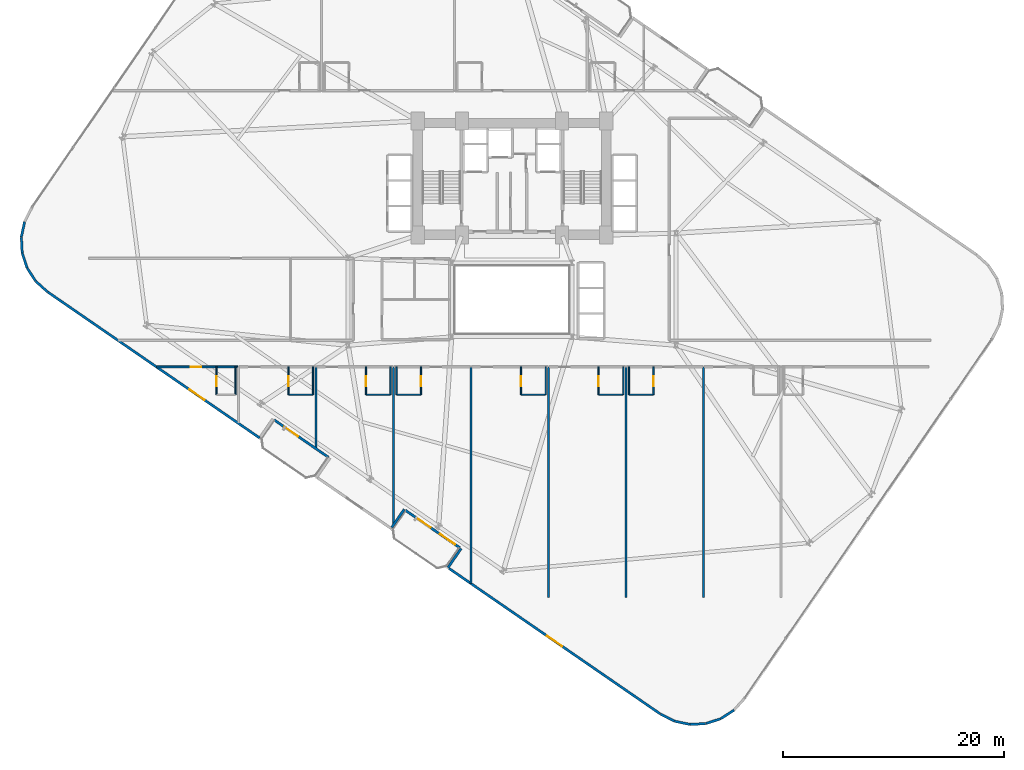
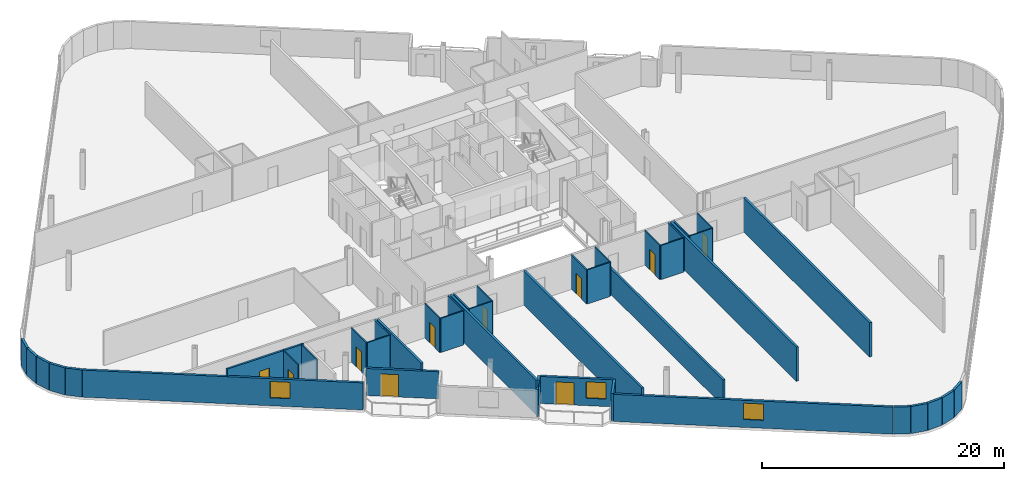
# One storey, part 17 of 25: 43 walls, 10 doors, 3 windows, 13 openings.
"""IFC4 building model written with IfcOpenShell, lengths in metres."""

from ifc_helpers import new_model, si_unit, direction, frame, frame_2d, origin, place, context, subcontext, project, spatial, rectangle, extrude, material, layer, layer_set, type_object, element, fill, save


model = new_model("IFC4")

# Units and contexts
model_context = context("Model", 3, precision=1e-05, world=origin(), true_north=direction((0.0, 1.0)))
body_context = subcontext(model_context, "Body", "Model", "MODEL_VIEW")
ifc_project = project(units=[si_unit("LENGTHUNIT", "METRE"), si_unit("AREAUNIT", "SQUARE_METRE"), si_unit("VOLUMEUNIT", "CUBIC_METRE"), si_unit("PLANEANGLEUNIT", "RADIAN"), si_unit("MASSUNIT", "GRAM", prefix="KILO")], contexts=[model_context])

# Site, building, storey
site_placement = place(None, origin())
site = spatial("IfcSite", under=ifc_project, at=site_placement, CompositionType="ELEMENT")
building_placement = place(site_placement, origin())
building = spatial("IfcBuilding", under=site, at=building_placement, Name="Varnelok Gate Tower", CompositionType="ELEMENT")
storey_placement = place(building_placement, frame((0.0, 0.0, 49.199951171875)))
storey = spatial("IfcBuildingStorey", under=building, at=storey_placement, Name="L11", CompositionType="ELEMENT", Elevation=49.199951171875)

# Wall, opening, door
ifc_material_1 = material(Name="Concrete C45/55", Category="concrete")
ifc_layer_1 = layer(ifc_material_1, 0.219970703125)
ifc_layer_set_1 = layer_set([ifc_layer_1], Name="Concrete C45/55")
wall_type_1 = type_object("IfcWallType", Name="EW-BALC-220", PredefinedType="SOLIDWALL", material=ifc_layer_set_1)
wall_1_placement = place(storey_placement, frame((22.642822265625, 8.667236328125, 0.0), z_axis=(0.0, 0.0, 1.0), x_axis=(-0.823534636215, 0.567265989598, 0.0)))
wall_1 = element("IfcWall", 1, at=wall_1_placement, inside=storey, type_object=wall_type_1, Name="L11 South Terrace Envelope Wall 1", PredefinedType="SOLIDWALL", context=body_context, shape_type="SweptSolid", body=[
    extrude(rectangle(XDim=6.0, YDim=0.219970703125, at=frame_2d((3.0, 0.0))), origin(), (0.0, 0.0, 1.0), 2.72998046875),
])
opening_1_placement = place(wall_1_placement, frame((3.360107421875, 0.0, 0.0)))
opening_1 = element("IfcOpeningElement", 2, at=opening_1_placement, cuts=wall_1, Name="Opening BD-1", PredefinedType="OPENING", context=body_context, shape_type="SweptSolid", body=[
    extrude(rectangle(XDim=1.5, YDim=2.25, at=frame_2d((0.75, 1.125))), frame((0.0, 0.119873046875, 0.0), z_axis=(0.0, -1.0, 0.0), x_axis=(1.0, 0.0, 0.0)), (0.0, 0.0, 1.0), 0.239990234375),
])
ifc_material_2 = material(Name="Anodized Aluminum Alloy 6063-T6", Category="aluminium")
door_type_1 = type_object("IfcDoorType", Name="DR-EXT-BALC1500", OperationType="NOTDEFINED", PredefinedType="DOOR", material=ifc_material_2)
door_1_placement = place(opening_1_placement, origin())
door_1 = element("IfcDoor", 3, at=door_1_placement, inside=storey, type_object=door_type_1, Name="L11 South Balcony Glazed Door 1", OperationType="SINGLE_SWING_RIGHT", OverallHeight=2.25, OverallWidth=1.5, PredefinedType="DOOR", context=body_context, shape_type="SweptSolid", body=[
    extrude(rectangle(XDim=1.5, YDim=2.25, at=frame_2d((0.75, 1.125))), frame((0.0, 0.02490234375, 0.0), z_axis=(0.0, -1.0, 0.0), x_axis=(1.0, 0.0, 0.0)), (0.0, 0.0, 1.0), 0.050048828125),
])
fill(opening_1, door_1)

# Wall, openings, door, window
wall_2_placement = place(storey_placement, frame((34.501708984375, 0.49853515625, 0.0), z_axis=(0.0, 0.0, 1.0), x_axis=(-0.823534636215, 0.567265989598, 0.0)))
wall_2 = element("IfcWall", 4, at=wall_2_placement, inside=storey, type_object=wall_type_1, Name="L11 South Terrace Envelope Wall 2", PredefinedType="SOLIDWALL", context=body_context, shape_type="SweptSolid", body=[
    extrude(rectangle(XDim=6.0, YDim=0.219970703125, at=frame_2d((3.0, 0.0))), origin(), (0.0, 0.0, 1.0), 2.72998046875),
])
opening_2_placement = place(wall_2_placement, frame((3.2119140625, 0.0, 0.0)))
opening_2 = element("IfcOpeningElement", 5, at=opening_2_placement, cuts=wall_2, Name="Opening BD-1", PredefinedType="OPENING", context=body_context, shape_type="SweptSolid", body=[
    extrude(rectangle(XDim=1.5, YDim=2.25, at=frame_2d((0.75, 1.125))), frame((0.0, 0.119873046875, 0.0), z_axis=(0.0, -1.0, 0.0), x_axis=(1.0, 0.0, 0.0)), (0.0, 0.0, 1.0), 0.239990234375),
])
opening_3_placement = place(wall_2_placement, frame((0.550048828125, 0.0, 0.75)))
opening_3 = element("IfcOpeningElement", 6, at=opening_3_placement, cuts=wall_2, Name="Opening WN3", PredefinedType="OPENING", context=body_context, shape_type="SweptSolid", body=[
    extrude(rectangle(XDim=1.64990234375, YDim=1.64990234375, at=frame_2d((0.824951171875, 0.824951171875))), frame((0.0, 0.119873046875, 0.0), z_axis=(0.0, -1.0, 0.0), x_axis=(1.0, 0.0, 0.0)), (0.0, 0.0, 1.0), 0.239990234375),
])
door_2_placement = place(opening_2_placement, origin())
door_2 = element("IfcDoor", 7, at=door_2_placement, inside=storey, type_object=door_type_1, Name="L11 South Balcony Glazed Door 2", OperationType="SINGLE_SWING_LEFT", OverallHeight=2.25, OverallWidth=1.5, PredefinedType="DOOR", context=body_context, shape_type="SweptSolid", body=[
    extrude(rectangle(XDim=1.5, YDim=2.25, at=frame_2d((0.75, 1.125))), frame((0.0, 0.02490234375, 0.0), z_axis=(0.0, -1.0, 0.0), x_axis=(1.0, 0.0, 0.0)), (0.0, 0.0, 1.0), 0.050048828125),
])
fill(opening_2, door_2)
ifc_material_3 = material(Name="Low-E Laminated Double Glazing IGU", Category="glass")
window_type = type_object("IfcWindowType", Name="WN-HTL-1650", PartitioningType="SINGLE_PANEL", PredefinedType="WINDOW", material=ifc_material_3)
window_1_placement = place(opening_3_placement, origin())
window_1 = element("IfcWindow", 8, at=window_1_placement, inside=storey, type_object=window_type, Name="L11 South Vision Window 2.1", OverallHeight=1.64990234375, OverallWidth=1.64990234375, PartitioningType="SINGLE_PANEL", PredefinedType="WINDOW", context=body_context, shape_type="SweptSolid", body=[
    extrude(rectangle(XDim=1.64990234375, YDim=1.64990234375, at=frame_2d((0.824951171875, 0.824951171875))), frame((0.0, 0.030029296875, 0.0), z_axis=(0.0, -1.0, 0.0), x_axis=(1.0, 0.0, 0.0)), (0.0, 0.0, 1.0), 0.06005859375),
])
fill(opening_3, window_1)

# Walls
for number, where, z_axis, x_axis, name in (
    (9, (-4.81396484375, 29.946533203125, 0.0), (0.0, 0.0, 1.0), (-0.208829011645, -0.977952168511, 0.0), "L11 Perimeter Facade Closure Wall 2"),
    (10, (-5.106201171875, 28.547119140625, 0.0), (0.0, 0.0, 1.0), (0.051254741739, -0.998685611917, 0.0), "L11 Perimeter Facade Closure Wall 3"),
    (11, (-5.026611328125, 27.1201171875, 0.0), (0.0, 0.0, 1.0), (0.308190297603, -0.95132472924, 0.0), "L11 Perimeter Facade Closure Wall 4"),
    (12, (-4.580078125, 25.76220703125, 0.0), (0.0, 0.0, 1.0), (0.543748195851, -0.839248413468, 0.0), "L11 Perimeter Facade Closure Wall 5"),
):
    element("IfcWall", number, at=place(storey_placement, frame(where, z_axis=z_axis, x_axis=x_axis)), inside=storey, type_object=wall_type_1, Name=name, PredefinedType="SOLIDWALL", context=body_context, shape_type="SweptSolid", body=[
        extrude(rectangle(XDim=1.4052734375, YDim=0.219970703125, at=frame_2d((0.70263671875, 0.0))), origin(), (0.0, 0.0, 1.0), 2.72998046875),
    ])
wall_3_placement = place(storey_placement, frame((-3.79736328125, 24.56591796875, 0.0), z_axis=(0.0, 0.0, 1.0), x_axis=(0.742537711837, -0.66980425984, 0.0)))
element("IfcWall", 13, at=wall_3_placement, inside=storey, type_object=wall_type_1, Name="L11 Perimeter Facade Closure Wall 6", PredefinedType="SOLIDWALL", context=body_context, shape_type="SweptSolid", body=[
    extrude(rectangle(XDim=1.4130859375, YDim=0.219970703125, at=frame_2d((0.70654296875, 0.0))), origin(), (0.0, 0.0, 1.0), 2.72998046875),
])

# Wall, opening, window
wall_4_placement = place(storey_placement, frame((-2.7275390625, 23.60498046875, 0.0), z_axis=(0.0, 0.0, 1.0), x_axis=(0.823535075462, -0.567265351915, 0.0)))
wall_4 = element("IfcWall", 14, at=wall_4_placement, inside=storey, type_object=wall_type_1, Name="L11 Perimeter Facade Closure Wall 7", PredefinedType="SOLIDWALL", context=body_context, shape_type="SweptSolid", body=[
    extrude(rectangle(XDim=23.2470703125, YDim=0.219970703125, at=frame_2d((11.62353515625, 0.0))), origin(), (0.0, 0.0, 1.0), 2.72998046875),
])
opening_4_placement = place(wall_4_placement, frame((15.550048828125, 0.0, 0.800048828125)))
opening_4 = element("IfcOpeningElement", 15, at=opening_4_placement, cuts=wall_4, Name="Opening WN3", PredefinedType="OPENING", context=body_context, shape_type="SweptSolid", body=[
    extrude(rectangle(XDim=1.64990234375, YDim=1.64990234375, at=frame_2d((0.824951171875, 0.824951171875))), frame((0.0, 0.119873046875, 0.0), z_axis=(0.0, -1.0, 0.0), x_axis=(1.0, 0.0, 0.0)), (0.0, 0.0, 1.0), 0.239990234375),
])
window_2_placement = place(opening_4_placement, origin())
window_2 = element("IfcWindow", 16, at=window_2_placement, inside=storey, type_object=window_type, Name="L11 Perimeter Vision Window 7", OverallHeight=1.64990234375, OverallWidth=1.64990234375, PartitioningType="SINGLE_PANEL", PredefinedType="WINDOW", context=body_context, shape_type="SweptSolid", body=[
    extrude(rectangle(XDim=1.64990234375, YDim=1.64990234375, at=frame_2d((0.824951171875, 0.824951171875))), frame((0.0, 0.030029296875, 0.0), z_axis=(0.0, -1.0, 0.0), x_axis=(1.0, 0.0, 0.0)), (0.0, 0.0, 1.0), 0.06005859375),
])
fill(opening_4, window_2)

# Walls
wall_5_placement = place(storey_placement, frame((28.34716796875, 2.351806640625, 0.0), z_axis=(0.0, 0.0, 1.0), x_axis=(0.567215821234, 0.823569190865, 0.0)))
element("IfcWall", 17, at=wall_5_placement, inside=storey, type_object=wall_type_1, Name="L11 Perimeter Facade Closure Wall 11", PredefinedType="SOLIDWALL", context=body_context, shape_type="SweptSolid", body=[
    extrude(rectangle(XDim=1.97509765625, YDim=0.219970703125, at=frame_2d((0.987548828125, 0.0))), origin(), (0.0, 0.0, 1.0), 2.72998046875),
])
wall_6_placement = place(storey_placement, frame((34.606201171875, 0.438720703125, 0.0), z_axis=(0.0, 0.0, 1.0), x_axis=(-0.567219383419, -0.823566737474, 0.0)))
element("IfcWall", 18, at=wall_6_placement, inside=storey, type_object=wall_type_1, Name="L11 Perimeter Facade Closure Wall 12", PredefinedType="SOLIDWALL", context=body_context, shape_type="SweptSolid", body=[
    extrude(rectangle(XDim=2.10009765625, YDim=0.219970703125, at=frame_2d((1.050048828125, 0.0))), origin(), (0.0, 0.0, 1.0), 2.72998046875),
])

# Wall, opening, window
wall_7_placement = place(storey_placement, frame((33.517822265625, -1.36181640625, 0.0), z_axis=(0.0, 0.0, 1.0), x_axis=(0.82353935489, -0.567259139148, 0.0)))
wall_7 = element("IfcWall", 19, at=wall_7_placement, inside=storey, type_object=wall_type_1, Name="L11 Perimeter Facade Closure Wall 13", PredefinedType="SOLIDWALL", context=body_context, shape_type="SweptSolid", body=[
    extrude(rectangle(XDim=23.14697265625, YDim=0.219970703125, at=frame_2d((11.573486328125, 0.0))), origin(), (0.0, 0.0, 1.0), 2.72998046875),
])
opening_5_placement = place(wall_7_placement, frame((10.74853515625, 0.0, 0.800048828125)))
opening_5 = element("IfcOpeningElement", 20, at=opening_5_placement, cuts=wall_7, Name="Opening WN3", PredefinedType="OPENING", context=body_context, shape_type="SweptSolid", body=[
    extrude(rectangle(XDim=1.64990234375, YDim=1.64990234375, at=frame_2d((0.824951171875, 0.824951171875))), frame((0.0, 0.119873046875, 0.0), z_axis=(0.0, -1.0, 0.0), x_axis=(1.0, 0.0, 0.0)), (0.0, 0.0, 1.0), 0.239990234375),
])
window_3_placement = place(opening_5_placement, origin())
window_3 = element("IfcWindow", 21, at=window_3_placement, inside=storey, type_object=window_type, Name="L11 Perimeter Vision Window 13", OverallHeight=1.64990234375, OverallWidth=1.64990234375, PartitioningType="SINGLE_PANEL", PredefinedType="WINDOW", context=body_context, shape_type="SweptSolid", body=[
    extrude(rectangle(XDim=1.64990234375, YDim=1.64990234375, at=frame_2d((0.824951171875, 0.824951171875))), frame((0.0, 0.030029296875, 0.0), z_axis=(0.0, -1.0, 0.0), x_axis=(1.0, 0.0, 0.0)), (0.0, 0.0, 1.0), 0.06005859375),
])
fill(opening_5, window_3)

# Walls
wall_8_placement = place(storey_placement, frame((52.602783203125, -14.503662109375, 0.0), z_axis=(0.0, 0.0, 1.0), x_axis=(0.89052335693, -0.45493752402, 0.0)))
element("IfcWall", 22, at=wall_8_placement, inside=storey, type_object=wall_type_1, Name="L11 Perimeter Facade Closure Wall 14", PredefinedType="SOLIDWALL", context=body_context, shape_type="SweptSolid", body=[
    extrude(rectangle(XDim=1.4130859375, YDim=0.219970703125, at=frame_2d((0.70654296875, 0.0))), origin(), (0.0, 0.0, 1.0), 2.72998046875),
])
for number, where, z_axis, x_axis, name in (
    (23, (53.8857421875, -15.15185546875, 0.0), (0.0, 0.0, 1.0), (0.977952168511, -0.208829011645, 0.0), "L11 Perimeter Facade Closure Wall 15"),
    (24, (55.284912109375, -15.444091796875, 0.0), (0.0, 0.0, 1.0), (0.998685611917, 0.051254741739, 0.0), "L11 Perimeter Facade Closure Wall 16"),
    (25, (56.712158203125, -15.364501953125, 0.0), (0.0, 0.0, 1.0), (0.95132472924, 0.308190297603, 0.0), "L11 Perimeter Facade Closure Wall 17"),
    (26, (58.070068359375, -14.91796875, 0.0), (0.0, 0.0, 1.0), (0.839248413468, 0.543748195851, 0.0), "L11 Perimeter Facade Closure Wall 18"),
):
    element("IfcWall", number, at=place(storey_placement, frame(where, z_axis=z_axis, x_axis=x_axis)), inside=storey, type_object=wall_type_1, Name=name, PredefinedType="SOLIDWALL", context=body_context, shape_type="SweptSolid", body=[
        extrude(rectangle(XDim=1.4052734375, YDim=0.219970703125, at=frame_2d((0.70263671875, 0.0))), origin(), (0.0, 0.0, 1.0), 2.72998046875),
    ])

# Wall, opening, door
ifc_material_4 = material(Name="Gypsum Plasterboard Acoustic Partition", Category="gypsum")
ifc_layer_2 = layer(ifc_material_4, 0.179931640625)
ifc_layer_set_2 = layer_set([ifc_layer_2], Name="Gypsum Plasterboard Acoustic Partition")
wall_type_2 = type_object("IfcWallType", Name="PW-CORR-180", PredefinedType="PARTITIONING", material=ifc_layer_set_2)
wall_9_placement = place(storey_placement, frame((7.114501953125, 16.85009765625, 0.0), z_axis=(0.0, 0.0, 1.0), x_axis=(1.0, 0.0, 0.0)))
wall_9 = element("IfcWall", 27, at=wall_9_placement, inside=storey, type_object=wall_type_2, Name="Interior Partition", PredefinedType="PARTITIONING", context=body_context, shape_type="SweptSolid", body=[
    extrude(rectangle(XDim=7.305419921875, YDim=0.179931640625, at=frame_2d((3.65283203125, 0.0))), origin(), (0.0, 0.0, 1.0), 3.449951171875),
])
opening_6_placement = place(wall_9_placement, frame((3.065673828125, 0.0, 0.0)))
opening_6 = element("IfcOpeningElement", 28, at=opening_6_placement, cuts=wall_9, Name="Opening D-HT", PredefinedType="OPENING", context=body_context, shape_type="SweptSolid", body=[
    extrude(rectangle(XDim=0.949951171875, YDim=2.14990234375, at=frame_2d((0.47509765625, 1.074951171875))), frame((0.0, 0.099853515625, 0.0), z_axis=(0.0, -1.0, 0.0), x_axis=(1.0, 0.0, 0.0)), (0.0, 0.0, 1.0), 0.199951171875),
])
ifc_material_5 = material(Name="Engineered Hardwood Timber", Category="wood")
door_type_2 = type_object("IfcDoorType", Name="DR-HTL-950", OperationType="NOTDEFINED", PredefinedType="DOOR", material=ifc_material_5)
door_3_placement = place(opening_6_placement, origin())
door_3 = element("IfcDoor", 29, at=door_3_placement, inside=storey, type_object=door_type_2, Name="L11 Guest Room 01 Entrance Door", OperationType="SINGLE_SWING_RIGHT", OverallHeight=2.14990234375, OverallWidth=0.949951171875, PredefinedType="DOOR", context=body_context, shape_type="SweptSolid", body=[
    extrude(rectangle(XDim=0.949951171875, YDim=2.14990234375, at=frame_2d((0.47509765625, 1.074951171875))), frame((0.0, 0.02490234375, 0.0), z_axis=(0.0, -1.0, 0.0), x_axis=(1.0, 0.0, 0.0)), (0.0, 0.0, 1.0), 0.050048828125),
])
fill(opening_6, door_3)

ifc_layer_3 = layer(ifc_material_4, 0.114990234375)
ifc_layer_set_3 = layer_set([ifc_layer_3], Name="Gypsum Plasterboard Acoustic Partition")
wall_type_3 = type_object("IfcWallType", Name="PW-ENS-125", PredefinedType="PARTITIONING", material=ifc_layer_set_3)
wall_10_placement = place(storey_placement, frame((12.510009765625, 14.330078125, 0.0), z_axis=(0.0, 0.0, 1.0), x_axis=(0.0, 1.0, 0.0)))
wall_10 = element("IfcWall", 30, at=wall_10_placement, inside=storey, type_object=wall_type_3, Name="Interior Partition", PredefinedType="PARTITIONING", context=body_context, shape_type="SweptSolid", body=[
    extrude(rectangle(XDim=2.52001953125, YDim=0.114990234375, at=frame_2d((1.260009765625, 0.0))), origin(), (0.0, 0.0, 1.0), 3.449951171875),
])
opening_7_placement = place(wall_10_placement, frame((0.760009765625, 0.0, 0.0)))
opening_7 = element("IfcOpeningElement", 31, at=opening_7_placement, cuts=wall_10, Name="Opening D-WC", PredefinedType="OPENING", context=body_context, shape_type="SweptSolid", body=[
    extrude(rectangle(XDim=0.89990234375, YDim=2.050048828125, at=frame_2d((0.449951171875, 1.02490234375))), frame((0.0, 0.0673828125, 0.0), z_axis=(0.0, -1.0, 0.0), x_axis=(1.0, 0.0, 0.0)), (0.0, 0.0, 1.0), 0.135009765625),
])
door_type_3 = type_object("IfcDoorType", Name="DR-BATH-900", OperationType="NOTDEFINED", PredefinedType="DOOR", material=ifc_material_5)
door_4_placement = place(opening_7_placement, origin())
door_4 = element("IfcDoor", 32, at=door_4_placement, inside=storey, type_object=door_type_3, Name="L11 Guest En-Suite 01 Door", OperationType="SINGLE_SWING_RIGHT", OverallHeight=2.050048828125, OverallWidth=0.89990234375, PredefinedType="DOOR", context=body_context, shape_type="SweptSolid", body=[
    extrude(rectangle(XDim=0.89990234375, YDim=2.050048828125, at=frame_2d((0.449951171875, 1.02490234375))), frame((0.0, 0.02490234375, 0.0), z_axis=(0.0, -1.0, 0.0), x_axis=(1.0, 0.0, 0.0)), (0.0, 0.0, 1.0), 0.050048828125),
])
fill(opening_7, door_4)

# Walls
wall_11_placement = place(storey_placement, frame((14.239990234375, 14.330078125, 0.0), z_axis=(0.0, 0.0, 1.0), x_axis=(0.0, 1.0, 0.0)))
element("IfcWall", 33, at=wall_11_placement, inside=storey, type_object=wall_type_3, Name="Interior Partition", PredefinedType="PARTITIONING", context=body_context, shape_type="SweptSolid", body=[
    extrude(rectangle(XDim=2.52001953125, YDim=0.114990234375, at=frame_2d((1.260009765625, 0.0))), origin(), (0.0, 0.0, 1.0), 3.449951171875),
])
wall_12_placement = place(storey_placement, frame((19.050048828125, 14.330078125, 0.0), z_axis=(0.0, 0.0, 1.0), x_axis=(1.0, 0.0, 0.0)))
element("IfcWall", 34, at=wall_12_placement, inside=storey, type_object=wall_type_3, Name="Interior Partition", PredefinedType="PARTITIONING", context=body_context, shape_type="SweptSolid", body=[
    extrude(rectangle(XDim=2.14990234375, YDim=0.114990234375, at=frame_2d((1.074951171875, 0.0))), origin(), (0.0, 0.0, 1.0), 3.449951171875),
])

# Wall, opening, door
wall_13_placement = place(storey_placement, frame((19.010009765625, 14.330078125, 0.0), z_axis=(0.0, 0.0, 1.0), x_axis=(0.0, 1.0, 0.0)))
wall_13 = element("IfcWall", 35, at=wall_13_placement, inside=storey, type_object=wall_type_3, Name="Interior Partition", PredefinedType="PARTITIONING", context=body_context, shape_type="SweptSolid", body=[
    extrude(rectangle(XDim=2.52001953125, YDim=0.114990234375, at=frame_2d((1.260009765625, 0.0))), origin(), (0.0, 0.0, 1.0), 3.449951171875),
])
opening_8_placement = place(wall_13_placement, frame((0.760009765625, 0.0, 0.0)))
opening_8 = element("IfcOpeningElement", 36, at=opening_8_placement, cuts=wall_13, Name="Opening D-WC", PredefinedType="OPENING", context=body_context, shape_type="SweptSolid", body=[
    extrude(rectangle(XDim=0.89990234375, YDim=2.050048828125, at=frame_2d((0.449951171875, 1.02490234375))), frame((0.0, 0.0673828125, 0.0), z_axis=(0.0, -1.0, 0.0), x_axis=(1.0, 0.0, 0.0)), (0.0, 0.0, 1.0), 0.135009765625),
])
door_5_placement = place(opening_8_placement, origin())
door_5 = element("IfcDoor", 37, at=door_5_placement, inside=storey, type_object=door_type_3, Name="L11 Guest En-Suite 02 Door", OperationType="SINGLE_SWING_RIGHT", OverallHeight=2.050048828125, OverallWidth=0.89990234375, PredefinedType="DOOR", context=body_context, shape_type="SweptSolid", body=[
    extrude(rectangle(XDim=0.89990234375, YDim=2.050048828125, at=frame_2d((0.449951171875, 1.02490234375))), frame((0.0, 0.02490234375, 0.0), z_axis=(0.0, -1.0, 0.0), x_axis=(1.0, 0.0, 0.0)), (0.0, 0.0, 1.0), 0.050048828125),
])
fill(opening_8, door_5)

# Walls
wall_14_placement = place(storey_placement, frame((21.239990234375, 14.330078125, 0.0), z_axis=(0.0, 0.0, 1.0), x_axis=(0.0, 1.0, 0.0)))
element("IfcWall", 38, at=wall_14_placement, inside=storey, type_object=wall_type_3, Name="Interior Partition", PredefinedType="PARTITIONING", context=body_context, shape_type="SweptSolid", body=[
    extrude(rectangle(XDim=2.52001953125, YDim=0.114990234375, at=frame_2d((1.260009765625, 0.0))), origin(), (0.0, 0.0, 1.0), 3.449951171875),
])
wall_15_placement = place(storey_placement, frame((26.050048828125, 14.330078125, 0.0), z_axis=(0.0, 0.0, 1.0), x_axis=(1.0, 0.0, 0.0)))
element("IfcWall", 39, at=wall_15_placement, inside=storey, type_object=wall_type_3, Name="Interior Partition", PredefinedType="PARTITIONING", context=body_context, shape_type="SweptSolid", body=[
    extrude(rectangle(XDim=2.14990234375, YDim=0.114990234375, at=frame_2d((1.074951171875, 0.0))), origin(), (0.0, 0.0, 1.0), 3.449951171875),
])

# Wall, opening, door
wall_16_placement = place(storey_placement, frame((26.010009765625, 14.330078125, 0.0), z_axis=(0.0, 0.0, 1.0), x_axis=(0.0, 1.0, 0.0)))
wall_16 = element("IfcWall", 40, at=wall_16_placement, inside=storey, type_object=wall_type_3, Name="Interior Partition", PredefinedType="PARTITIONING", context=body_context, shape_type="SweptSolid", body=[
    extrude(rectangle(XDim=2.52001953125, YDim=0.114990234375, at=frame_2d((1.260009765625, 0.0))), origin(), (0.0, 0.0, 1.0), 3.449951171875),
])
opening_9_placement = place(wall_16_placement, frame((0.760009765625, 0.0, 0.0)))
opening_9 = element("IfcOpeningElement", 41, at=opening_9_placement, cuts=wall_16, Name="Opening D-WC", PredefinedType="OPENING", context=body_context, shape_type="SweptSolid", body=[
    extrude(rectangle(XDim=0.89990234375, YDim=2.050048828125, at=frame_2d((0.449951171875, 1.02490234375))), frame((0.0, 0.0673828125, 0.0), z_axis=(0.0, -1.0, 0.0), x_axis=(1.0, 0.0, 0.0)), (0.0, 0.0, 1.0), 0.135009765625),
])
door_6_placement = place(opening_9_placement, origin())
door_6 = element("IfcDoor", 42, at=door_6_placement, inside=storey, type_object=door_type_3, Name="L11 Guest En-Suite 03 Door", OperationType="SINGLE_SWING_RIGHT", OverallHeight=2.050048828125, OverallWidth=0.89990234375, PredefinedType="DOOR", context=body_context, shape_type="SweptSolid", body=[
    extrude(rectangle(XDim=0.89990234375, YDim=2.050048828125, at=frame_2d((0.449951171875, 1.02490234375))), frame((0.0, 0.02490234375, 0.0), z_axis=(0.0, -1.0, 0.0), x_axis=(1.0, 0.0, 0.0)), (0.0, 0.0, 1.0), 0.050048828125),
])
fill(opening_9, door_6)

# Walls
wall_17_placement = place(storey_placement, frame((28.239990234375, 14.330078125, 0.0), z_axis=(0.0, 0.0, 1.0), x_axis=(0.0, 1.0, 0.0)))
element("IfcWall", 43, at=wall_17_placement, inside=storey, type_object=wall_type_3, Name="Interior Partition", PredefinedType="PARTITIONING", context=body_context, shape_type="SweptSolid", body=[
    extrude(rectangle(XDim=2.52001953125, YDim=0.114990234375, at=frame_2d((1.260009765625, 0.0))), origin(), (0.0, 0.0, 1.0), 3.449951171875),
])
wall_18_placement = place(storey_placement, frame((28.800048828125, 14.330078125, 0.0), z_axis=(0.0, 0.0, 1.0), x_axis=(1.0, 0.0, 0.0)))
element("IfcWall", 44, at=wall_18_placement, inside=storey, type_object=wall_type_3, Name="Interior Partition", PredefinedType="PARTITIONING", context=body_context, shape_type="SweptSolid", body=[
    extrude(rectangle(XDim=2.14990234375, YDim=0.114990234375, at=frame_2d((1.074951171875, 0.0))), origin(), (0.0, 0.0, 1.0), 3.449951171875),
])

# Wall, opening, door
wall_19_placement = place(storey_placement, frame((30.989990234375, 14.330078125, 0.0), z_axis=(0.0, 0.0, 1.0), x_axis=(0.0, 1.0, 0.0)))
wall_19 = element("IfcWall", 45, at=wall_19_placement, inside=storey, type_object=wall_type_3, Name="Interior Partition", PredefinedType="PARTITIONING", context=body_context, shape_type="SweptSolid", body=[
    extrude(rectangle(XDim=2.52001953125, YDim=0.114990234375, at=frame_2d((1.260009765625, 0.0))), origin(), (0.0, 0.0, 1.0), 3.449951171875),
])
opening_10_placement = place(wall_19_placement, frame((0.760009765625, 0.0, 0.0)))
opening_10 = element("IfcOpeningElement", 46, at=opening_10_placement, cuts=wall_19, Name="Opening D-WC", PredefinedType="OPENING", context=body_context, shape_type="SweptSolid", body=[
    extrude(rectangle(XDim=0.89990234375, YDim=2.050048828125, at=frame_2d((0.449951171875, 1.02490234375))), frame((0.0, 0.0673828125, 0.0), z_axis=(0.0, -1.0, 0.0), x_axis=(1.0, 0.0, 0.0)), (0.0, 0.0, 1.0), 0.135009765625),
])
door_7_placement = place(opening_10_placement, origin())
door_7 = element("IfcDoor", 47, at=door_7_placement, inside=storey, type_object=door_type_3, Name="L11 Guest En-Suite 04 Door", OperationType="SINGLE_SWING_LEFT", OverallHeight=2.050048828125, OverallWidth=0.89990234375, PredefinedType="DOOR", context=body_context, shape_type="SweptSolid", body=[
    extrude(rectangle(XDim=0.89990234375, YDim=2.050048828125, at=frame_2d((0.449951171875, 1.02490234375))), frame((0.0, 0.02490234375, 0.0), z_axis=(0.0, -1.0, 0.0), x_axis=(1.0, 0.0, 0.0)), (0.0, 0.0, 1.0), 0.050048828125),
])
fill(opening_10, door_7)

# Walls
wall_20_placement = place(storey_placement, frame((28.760009765625, 14.330078125, 0.0), z_axis=(0.0, 0.0, 1.0), x_axis=(0.0, 1.0, 0.0)))
element("IfcWall", 48, at=wall_20_placement, inside=storey, type_object=wall_type_3, Name="Interior Partition", PredefinedType="PARTITIONING", context=body_context, shape_type="SweptSolid", body=[
    extrude(rectangle(XDim=2.52001953125, YDim=0.114990234375, at=frame_2d((1.260009765625, 0.0))), origin(), (0.0, 0.0, 1.0), 3.449951171875),
])
wall_21_placement = place(storey_placement, frame((40.050048828125, 14.330078125, 0.0), z_axis=(0.0, 0.0, 1.0), x_axis=(1.0, 0.0, 0.0)))
element("IfcWall", 49, at=wall_21_placement, inside=storey, type_object=wall_type_3, Name="Interior Partition", PredefinedType="PARTITIONING", context=body_context, shape_type="SweptSolid", body=[
    extrude(rectangle(XDim=2.14990234375, YDim=0.114990234375, at=frame_2d((1.074951171875, 0.0))), origin(), (0.0, 0.0, 1.0), 3.449951171875),
])

# Wall, opening, door
wall_22_placement = place(storey_placement, frame((40.010009765625, 14.330078125, 0.0), z_axis=(0.0, 0.0, 1.0), x_axis=(0.0, 1.0, 0.0)))
wall_22 = element("IfcWall", 50, at=wall_22_placement, inside=storey, type_object=wall_type_3, Name="Interior Partition", PredefinedType="PARTITIONING", context=body_context, shape_type="SweptSolid", body=[
    extrude(rectangle(XDim=2.52001953125, YDim=0.114990234375, at=frame_2d((1.260009765625, 0.0))), origin(), (0.0, 0.0, 1.0), 3.449951171875),
])
opening_11_placement = place(wall_22_placement, frame((0.760009765625, 0.0, 0.0)))
opening_11 = element("IfcOpeningElement", 51, at=opening_11_placement, cuts=wall_22, Name="Opening D-WC", PredefinedType="OPENING", context=body_context, shape_type="SweptSolid", body=[
    extrude(rectangle(XDim=0.89990234375, YDim=2.050048828125, at=frame_2d((0.449951171875, 1.02490234375))), frame((0.0, 0.0673828125, 0.0), z_axis=(0.0, -1.0, 0.0), x_axis=(1.0, 0.0, 0.0)), (0.0, 0.0, 1.0), 0.135009765625),
])
door_8_placement = place(opening_11_placement, origin())
door_8 = element("IfcDoor", 52, at=door_8_placement, inside=storey, type_object=door_type_3, Name="L11 Guest En-Suite 05 Door", OperationType="SINGLE_SWING_RIGHT", OverallHeight=2.050048828125, OverallWidth=0.89990234375, PredefinedType="DOOR", context=body_context, shape_type="SweptSolid", body=[
    extrude(rectangle(XDim=0.89990234375, YDim=2.050048828125, at=frame_2d((0.449951171875, 1.02490234375))), frame((0.0, 0.02490234375, 0.0), z_axis=(0.0, -1.0, 0.0), x_axis=(1.0, 0.0, 0.0)), (0.0, 0.0, 1.0), 0.050048828125),
])
fill(opening_11, door_8)

# Walls
wall_23_placement = place(storey_placement, frame((42.239990234375, 14.330078125, 0.0), z_axis=(0.0, 0.0, 1.0), x_axis=(0.0, 1.0, 0.0)))
element("IfcWall", 53, at=wall_23_placement, inside=storey, type_object=wall_type_3, Name="Interior Partition", PredefinedType="PARTITIONING", context=body_context, shape_type="SweptSolid", body=[
    extrude(rectangle(XDim=2.52001953125, YDim=0.114990234375, at=frame_2d((1.260009765625, 0.0))), origin(), (0.0, 0.0, 1.0), 3.449951171875),
])
wall_24_placement = place(storey_placement, frame((47.050048828125, 14.330078125, 0.0), z_axis=(0.0, 0.0, 1.0), x_axis=(1.0, 0.0, 0.0)))
element("IfcWall", 54, at=wall_24_placement, inside=storey, type_object=wall_type_3, Name="Interior Partition", PredefinedType="PARTITIONING", context=body_context, shape_type="SweptSolid", body=[
    extrude(rectangle(XDim=2.14990234375, YDim=0.114990234375, at=frame_2d((1.074951171875, 0.0))), origin(), (0.0, 0.0, 1.0), 3.449951171875),
])

# Wall, opening, door
wall_25_placement = place(storey_placement, frame((47.010009765625, 14.330078125, 0.0), z_axis=(0.0, 0.0, 1.0), x_axis=(0.0, 1.0, 0.0)))
wall_25 = element("IfcWall", 55, at=wall_25_placement, inside=storey, type_object=wall_type_3, Name="Interior Partition", PredefinedType="PARTITIONING", context=body_context, shape_type="SweptSolid", body=[
    extrude(rectangle(XDim=2.52001953125, YDim=0.114990234375, at=frame_2d((1.260009765625, 0.0))), origin(), (0.0, 0.0, 1.0), 3.449951171875),
])
opening_12_placement = place(wall_25_placement, frame((0.760009765625, 0.0, 0.0)))
opening_12 = element("IfcOpeningElement", 56, at=opening_12_placement, cuts=wall_25, Name="Opening D-WC", PredefinedType="OPENING", context=body_context, shape_type="SweptSolid", body=[
    extrude(rectangle(XDim=0.89990234375, YDim=2.050048828125, at=frame_2d((0.449951171875, 1.02490234375))), frame((0.0, 0.0673828125, 0.0), z_axis=(0.0, -1.0, 0.0), x_axis=(1.0, 0.0, 0.0)), (0.0, 0.0, 1.0), 0.135009765625),
])
door_9_placement = place(opening_12_placement, origin())
door_9 = element("IfcDoor", 57, at=door_9_placement, inside=storey, type_object=door_type_3, Name="L11 Guest En-Suite 06 Door", OperationType="SINGLE_SWING_RIGHT", OverallHeight=2.050048828125, OverallWidth=0.89990234375, PredefinedType="DOOR", context=body_context, shape_type="SweptSolid", body=[
    extrude(rectangle(XDim=0.89990234375, YDim=2.050048828125, at=frame_2d((0.449951171875, 1.02490234375))), frame((0.0, 0.02490234375, 0.0), z_axis=(0.0, -1.0, 0.0), x_axis=(1.0, 0.0, 0.0)), (0.0, 0.0, 1.0), 0.050048828125),
])
fill(opening_12, door_9)

# Walls
wall_26_placement = place(storey_placement, frame((49.239990234375, 14.330078125, 0.0), z_axis=(0.0, 0.0, 1.0), x_axis=(0.0, 1.0, 0.0)))
element("IfcWall", 58, at=wall_26_placement, inside=storey, type_object=wall_type_3, Name="Interior Partition", PredefinedType="PARTITIONING", context=body_context, shape_type="SweptSolid", body=[
    extrude(rectangle(XDim=2.52001953125, YDim=0.114990234375, at=frame_2d((1.260009765625, 0.0))), origin(), (0.0, 0.0, 1.0), 3.449951171875),
])
wall_27_placement = place(storey_placement, frame((49.800048828125, 14.330078125, 0.0), z_axis=(0.0, 0.0, 1.0), x_axis=(1.0, 0.0, 0.0)))
element("IfcWall", 59, at=wall_27_placement, inside=storey, type_object=wall_type_3, Name="Interior Partition", PredefinedType="PARTITIONING", context=body_context, shape_type="SweptSolid", body=[
    extrude(rectangle(XDim=2.14990234375, YDim=0.114990234375, at=frame_2d((1.074951171875, 0.0))), origin(), (0.0, 0.0, 1.0), 3.449951171875),
])

# Wall, opening, door
wall_28_placement = place(storey_placement, frame((51.989990234375, 14.330078125, 0.0), z_axis=(0.0, 0.0, 1.0), x_axis=(0.0, 1.0, 0.0)))
wall_28 = element("IfcWall", 60, at=wall_28_placement, inside=storey, type_object=wall_type_3, Name="Interior Partition", PredefinedType="PARTITIONING", context=body_context, shape_type="SweptSolid", body=[
    extrude(rectangle(XDim=2.52001953125, YDim=0.114990234375, at=frame_2d((1.260009765625, 0.0))), origin(), (0.0, 0.0, 1.0), 3.449951171875),
])
opening_13_placement = place(wall_28_placement, frame((0.760009765625, 0.0, 0.0)))
opening_13 = element("IfcOpeningElement", 61, at=opening_13_placement, cuts=wall_28, Name="Opening D-WC", PredefinedType="OPENING", context=body_context, shape_type="SweptSolid", body=[
    extrude(rectangle(XDim=0.89990234375, YDim=2.050048828125, at=frame_2d((0.449951171875, 1.02490234375))), frame((0.0, 0.0673828125, 0.0), z_axis=(0.0, -1.0, 0.0), x_axis=(1.0, 0.0, 0.0)), (0.0, 0.0, 1.0), 0.135009765625),
])
door_10_placement = place(opening_13_placement, origin())
door_10 = element("IfcDoor", 62, at=door_10_placement, inside=storey, type_object=door_type_3, Name="L11 Guest En-Suite 07 Door", OperationType="SINGLE_SWING_LEFT", OverallHeight=2.050048828125, OverallWidth=0.89990234375, PredefinedType="DOOR", context=body_context, shape_type="SweptSolid", body=[
    extrude(rectangle(XDim=0.89990234375, YDim=2.050048828125, at=frame_2d((0.449951171875, 1.02490234375))), frame((0.0, 0.02490234375, 0.0), z_axis=(0.0, -1.0, 0.0), x_axis=(1.0, 0.0, 0.0)), (0.0, 0.0, 1.0), 0.050048828125),
])
fill(opening_13, door_10)

# Walls
wall_29_placement = place(storey_placement, frame((49.760009765625, 14.330078125, 0.0), z_axis=(0.0, 0.0, 1.0), x_axis=(0.0, 1.0, 0.0)))
element("IfcWall", 63, at=wall_29_placement, inside=storey, type_object=wall_type_3, Name="Interior Partition", PredefinedType="PARTITIONING", context=body_context, shape_type="SweptSolid", body=[
    extrude(rectangle(XDim=2.52001953125, YDim=0.114990234375, at=frame_2d((1.260009765625, 0.0))), origin(), (0.0, 0.0, 1.0), 3.449951171875),
])
ifc_layer_4 = layer(ifc_material_4, 0.205078125)
ifc_layer_set_4 = layer_set([ifc_layer_4], Name="Gypsum Plasterboard Acoustic Partition")
wall_type_4 = type_object("IfcWallType", Name="PW-PARTY-200", PredefinedType="PARTITIONING", material=ifc_layer_set_4)
wall_30_placement = place(storey_placement, frame((21.5, 9.490966796875, 0.0), z_axis=(0.0, 0.0, 1.0), x_axis=(0.0, 1.0, 0.0)))
element("IfcWall", 64, at=wall_30_placement, inside=storey, type_object=wall_type_4, Name="L11 South Party Wall 2", PredefinedType="PARTITIONING", context=body_context, shape_type="SweptSolid", body=[
    extrude(rectangle(XDim=7.359130859375, YDim=0.205078125, at=frame_2d((3.6796875, 0.0))), origin(), (0.0, 0.0, 1.0), 3.449951171875),
])
wall_31_placement = place(storey_placement, frame((28.5, 2.609130859375, 0.0), z_axis=(0.0, 0.0, 1.0), x_axis=(0.0, 1.0, 0.0)))
element("IfcWall", 65, at=wall_31_placement, inside=storey, type_object=wall_type_4, Name="L11 South Party Wall 3", PredefinedType="PARTITIONING", context=body_context, shape_type="SweptSolid", body=[
    extrude(rectangle(XDim=14.240966796875, YDim=0.205078125, at=frame_2d((7.12060546875, 0.0))), origin(), (0.0, 0.0, 1.0), 3.449951171875),
])
wall_32_placement = place(storey_placement, frame((35.5, -2.70263671875, 0.0), z_axis=(0.0, 0.0, 1.0), x_axis=(0.0, 1.0, 0.0)))
element("IfcWall", 66, at=wall_32_placement, inside=storey, type_object=wall_type_4, Name="L11 South Party Wall 4", PredefinedType="PARTITIONING", context=body_context, shape_type="SweptSolid", body=[
    extrude(rectangle(XDim=19.552734375, YDim=0.205078125, at=frame_2d((9.7763671875, 0.0))), origin(), (0.0, 0.0, 1.0), 3.449951171875),
])
wall_33_placement = place(storey_placement, frame((42.5, -4.0, 0.0), z_axis=(0.0, 0.0, 1.0), x_axis=(0.0, 1.0, 0.0)))
element("IfcWall", 67, at=wall_33_placement, inside=storey, type_object=wall_type_4, Name="L11 South Party Wall 5", PredefinedType="PARTITIONING", context=body_context, shape_type="SweptSolid", body=[
    extrude(rectangle(XDim=20.85009765625, YDim=0.205078125, at=frame_2d((10.425048828125, 0.0))), origin(), (0.0, 0.0, 1.0), 2.580078125),
])
for number, where, z_axis, x_axis, name in (
    (68, (49.5, -4.0, 0.0), (0.0, 0.0, 1.0), (0.0, 1.0, 0.0), "L11 South Party Wall 6"),
    (69, (56.5, -4.0, 0.0), (0.0, 0.0, 1.0), (0.0, 1.0, 0.0), "L11 South Party Wall 7"),
):
    element("IfcWall", number, at=place(storey_placement, frame(where, z_axis=z_axis, x_axis=x_axis)), inside=storey, type_object=wall_type_4, Name=name, PredefinedType="PARTITIONING", context=body_context, shape_type="SweptSolid", body=[
        extrude(rectangle(XDim=20.85009765625, YDim=0.205078125, at=frame_2d((10.425048828125, 0.0))), origin(), (0.0, 0.0, 1.0), 3.449951171875),
    ])

save(model, "model.ifc")
